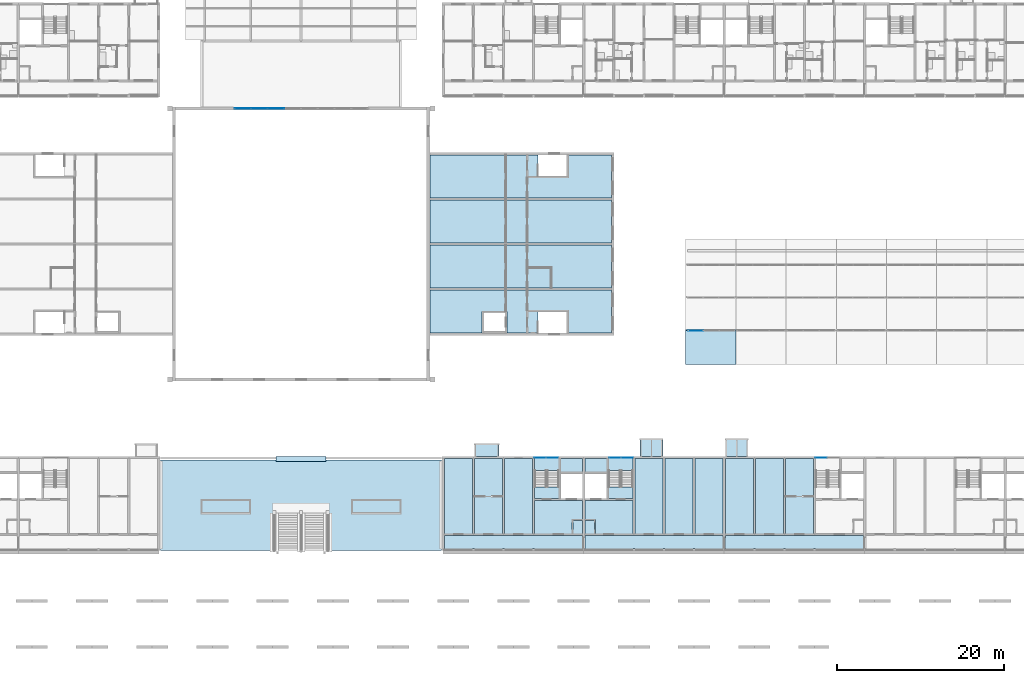
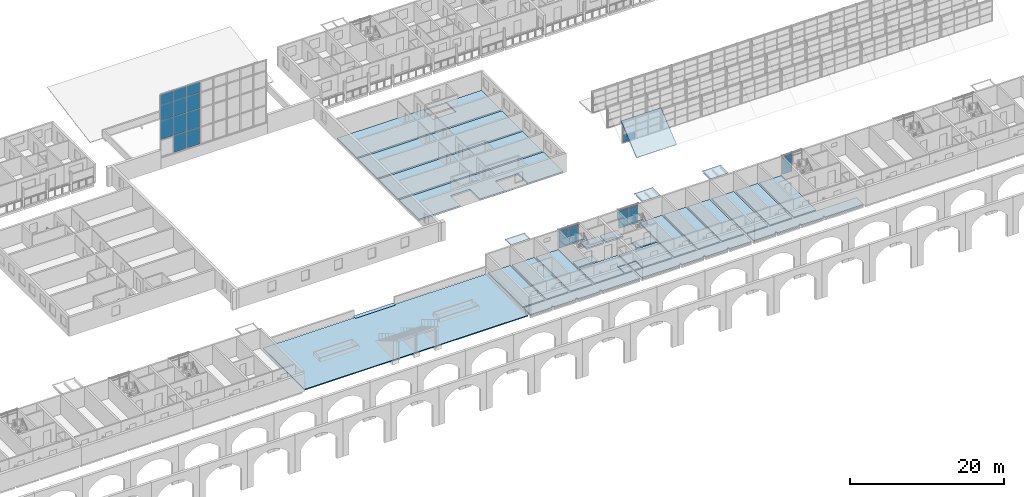
# One storey, part 45 of 122: 32 slabs, 22 plates, 7 elements without a shape of their own.
"""IFC4 building model written with IfcOpenShell, lengths in metres."""

from ifc_helpers import new_model, si_unit, direction, frame, origin, origin_2d, place, context, subcontext, project, spatial, polyline, rectangle, outline, extrude, material, layer, layer_set, type_object, element, aggregate, save


model = new_model("IFC4")

# Units and contexts
model_context = context("Model", 3, precision=1e-05, world=origin(), true_north=direction((0.0, 1.0)))
body_context = subcontext(model_context, "Body", "Model", "MODEL_VIEW")
ifc_project = project(units=[si_unit("LENGTHUNIT", "METRE"), si_unit("AREAUNIT", "SQUARE_METRE"), si_unit("VOLUMEUNIT", "CUBIC_METRE"), si_unit("PLANEANGLEUNIT", "RADIAN"), si_unit("MASSUNIT", "GRAM", prefix="KILO")], contexts=[model_context])

# Site, building, storey
site_placement = place(None, origin())
site = spatial("IfcSite", under=ifc_project, at=site_placement, CompositionType="ELEMENT")
building_placement = place(site_placement, origin())
building = spatial("IfcBuilding", under=site, at=building_placement, Name="Ridgestep Commons", CompositionType="ELEMENT")
storey_placement = place(building_placement, frame((0.0, 0.0, 3.0)))
storey = spatial("IfcBuildingStorey", under=building, at=storey_placement, Name="L01", CompositionType="ELEMENT", Elevation=3.0)

# Slabs
ifc_material_1 = material(Name="Precast concrete C50/60", Category="concrete")
ifc_layer_1 = layer(ifc_material_1, 0.25)
ifc_layer_set_1 = layer_set([ifc_layer_1], Name="Annex floor plank 250")
slab_type_1 = type_object("IfcSlabType", Name="Annex floor plank 250", PredefinedType="FLOOR", material=ifc_layer_set_1)
slab_1_placement = place(storey_placement, frame((0.0, 0.0, -0.25)))
element("IfcSlab", 1, at=slab_1_placement, inside=storey, type_object=slab_type_1, Name="Annex floor plank 250", PredefinedType="FLOOR", context=body_context, shape_type="SweptSolid", body=[
    extrude(outline(polyline([(166.89990234375, 42.875), (166.89990234375, 37.75), (154.39990234375, 37.75), (154.39990234375, 40.35009765625), (151.449951171875, 40.35009765625), (151.449951171875, 37.75), (145.199951171875, 37.75), (145.199951171875, 42.875), (166.89990234375, 42.875)]), holes=[polyline([(161.589111328125, 40.29931640625), (158.15087890625, 40.29931640625), (158.15087890625, 37.750732421875), (161.589111328125, 37.750732421875), (161.589111328125, 40.29931640625)])]), origin(), (0.0, 0.0, 1.0), 0.25),
])
slab_2_placement = place(storey_placement, frame((0.0, 0.0, -0.25)))
element("IfcSlab", 2, at=slab_2_placement, inside=storey, type_object=slab_type_1, Name="Annex floor plank 250", PredefinedType="FLOOR", context=body_context, shape_type="SweptSolid", body=[
    extrude(outline(polyline([(145.199951171875, 43.125), (166.89990234375, 43.125), (166.89990234375, 48.27490234375), (145.199951171875, 48.27490234375), (145.199951171875, 43.125)])), origin(), (0.0, 0.0, 1.0), 0.25),
])
slab_3_placement = place(storey_placement, frame((0.0, 0.0, -0.25)))
element("IfcSlab", 3, at=slab_3_placement, inside=storey, type_object=slab_type_1, Name="Annex floor plank 250", PredefinedType="FLOOR", context=body_context, shape_type="SweptSolid", body=[
    extrude(outline(polyline([(145.199951171875, 48.52490234375), (166.89990234375, 48.52490234375), (166.89990234375, 53.675048828125), (145.199951171875, 53.675048828125), (145.199951171875, 48.52490234375)])), origin(), (0.0, 0.0, 1.0), 0.25),
])
slab_4_placement = place(storey_placement, frame((0.0, 0.0, -0.25)))
element("IfcSlab", 4, at=slab_4_placement, inside=storey, type_object=slab_type_1, Name="Annex floor plank 250", PredefinedType="FLOOR", context=body_context, shape_type="SweptSolid", body=[
    extrude(outline(polyline([(145.199951171875, 59.050048828125), (166.89990234375, 59.050048828125), (166.89990234375, 53.925048828125), (145.199951171875, 53.925048828125), (145.199951171875, 59.050048828125)]), holes=[polyline([(161.589111328125, 56.500732421875), (161.589111328125, 59.04931640625), (158.15087890625, 59.04931640625), (158.15087890625, 56.500732421875), (161.589111328125, 56.500732421875)])]), origin(), (0.0, 0.0, 1.0), 0.25),
])

# Curtain wall, plate
ifc_material_2 = material(Name="Aluminium and glass", Category="aluminium")
ifc_layer_2 = layer(ifc_material_2, 0.14990234375)
ifc_layer_set_2 = layer_set([ifc_layer_2], Name="Shop clerestory curtain wall")
curtain_wall_type_1 = type_object("IfcCurtainWallType", Name="Shop clerestory curtain wall", PredefinedType="NOTDEFINED", material=ifc_layer_set_2)
curtain_wall_1_placement = place(storey_placement, origin())
curtain_wall_1 = element("IfcCurtainWall", 5, at=curtain_wall_1_placement, inside=storey, type_object=curtain_wall_type_1, Name="Shop clerestory curtain wall", PredefinedType="NOTDEFINED")
ifc_material_3 = material(Name="Glass", Category="glass")
ifc_layer_3 = layer(ifc_material_3, 0.011962890625)
ifc_layer_set_3 = layer_set([ifc_layer_3], Name="Community glass panel 12")
plate_type_1 = type_object("IfcPlateType", Name="Community glass panel 12", PredefinedType="CURTAIN_PANEL", material=ifc_layer_set_3)
plate_1_placement = place(storey_placement, frame((177.0, 38.050048828125, 1.25), z_axis=(0.0, 0.0, 1.0), x_axis=(1.0, 0.0, 0.0)))
plate_1 = element("IfcPlate", 6, at=plate_1_placement, type_object=plate_type_1, Name="CW5 panel 1.1", PredefinedType="CURTAIN_PANEL", context=body_context, shape_type="SweptSolid", body=[
    extrude(rectangle(XDim=1.800048828125, YDim=0.011962890625, at=origin_2d()), origin(), (0.0, 0.0, 1.0), 1.125),
])
aggregate(curtain_wall_1, [plate_1])

# Curtain wall, plates
ifc_material_4 = material(Name="Aluminium and glass", Category="aluminium")
ifc_layer_4 = layer(ifc_material_4, 0.199951171875)
ifc_layer_set_4 = layer_set([ifc_layer_4], Name="Hall gable curtain wall")
curtain_wall_type_2 = type_object("IfcCurtainWallType", Name="Hall gable curtain wall", PredefinedType="NOTDEFINED", material=ifc_layer_set_4)
curtain_wall_2_placement = place(storey_placement, origin())
curtain_wall_2 = element("IfcCurtainWall", 7, at=curtain_wall_2_placement, inside=storey, type_object=curtain_wall_type_2, Name="Hall gable curtain wall", PredefinedType="NOTDEFINED")
ifc_material_5 = material(Name="Glass", Category="glass")
ifc_layer_5 = layer(ifc_material_5, 0.028076171875)
ifc_layer_set_5 = layer_set([ifc_layer_5], Name="Community glass panel 28")
plate_type_2 = type_object("IfcPlateType", Name="Community glass panel 28", PredefinedType="CURTAIN_PANEL", material=ifc_layer_set_5)
plate_2_placement = place(storey_placement, frame((122.81494140625, 64.60009765625, 4.530029296875), z_axis=(0.0, 0.0, 1.0), x_axis=(1.0, 0.0, 0.0)))
plate_2 = element("IfcPlate", 8, at=plate_2_placement, type_object=plate_type_2, Name="CW4 panel 1.2", PredefinedType="CURTAIN_PANEL", context=body_context, shape_type="SweptSolid", body=[
    extrude(rectangle(XDim=1.909912109375, YDim=0.028076171875, at=origin_2d()), origin(), (0.0, 0.0, 1.0), 2.93994140625),
])
plate_3_placement = place(storey_placement, frame((122.81494140625, 64.60009765625, 7.530029296875), z_axis=(0.0, 0.0, 1.0), x_axis=(1.0, 0.0, 0.0)))
plate_3 = element("IfcPlate", 9, at=plate_3_placement, type_object=plate_type_2, Name="CW4 panel 1.3", PredefinedType="CURTAIN_PANEL", context=body_context, shape_type="SweptSolid", body=[
    extrude(rectangle(XDim=1.909912109375, YDim=0.028076171875, at=origin_2d()), origin(), (0.0, 0.0, 1.0), 2.43994140625),
])
plate_4_placement = place(storey_placement, frame((122.81494140625, 64.60009765625, 10.0302734375), z_axis=(0.0, 0.0, 1.0), x_axis=(1.0, 0.0, 0.0)))
plate_4 = element("IfcPlate", 10, at=plate_4_placement, type_object=plate_type_2, Name="CW4 panel 1.4", PredefinedType="CURTAIN_PANEL", context=body_context, shape_type="SweptSolid", body=[
    extrude(rectangle(XDim=1.909912109375, YDim=0.028076171875, at=origin_2d()), origin(), (0.0, 0.0, 1.0), 1.659912109375),
])
plate_5_placement = place(storey_placement, frame((124.800048828125, 64.60009765625, 1.81005859375), z_axis=(0.0, 0.0, 1.0), x_axis=(1.0, 0.0, 0.0)))
plate_5 = element("IfcPlate", 11, at=plate_5_placement, type_object=plate_type_2, Name="CW4 panel 2.1", PredefinedType="CURTAIN_PANEL", context=body_context, shape_type="SweptSolid", body=[
    extrude(rectangle(XDim=1.93994140625, YDim=0.028076171875, at=origin_2d()), origin(), (0.0, 0.0, 1.0), 2.659912109375),
])
plate_6_placement = place(storey_placement, frame((124.800048828125, 64.60009765625, 4.530029296875), z_axis=(0.0, 0.0, 1.0), x_axis=(1.0, 0.0, 0.0)))
plate_6 = element("IfcPlate", 12, at=plate_6_placement, type_object=plate_type_2, Name="CW4 panel 2.2", PredefinedType="CURTAIN_PANEL", context=body_context, shape_type="SweptSolid", body=[
    extrude(rectangle(XDim=1.93994140625, YDim=0.028076171875, at=origin_2d()), origin(), (0.0, 0.0, 1.0), 2.93994140625),
])
plate_7_placement = place(storey_placement, frame((124.800048828125, 64.60009765625, 7.530029296875), z_axis=(0.0, 0.0, 1.0), x_axis=(1.0, 0.0, 0.0)))
plate_7 = element("IfcPlate", 13, at=plate_7_placement, type_object=plate_type_2, Name="CW4 panel 2.3", PredefinedType="CURTAIN_PANEL", context=body_context, shape_type="SweptSolid", body=[
    extrude(rectangle(XDim=1.93994140625, YDim=0.028076171875, at=origin_2d()), origin(), (0.0, 0.0, 1.0), 2.43994140625),
])
plate_8_placement = place(storey_placement, frame((124.800048828125, 64.60009765625, 10.0302734375), z_axis=(0.0, 0.0, 1.0), x_axis=(1.0, 0.0, 0.0)))
plate_8 = element("IfcPlate", 14, at=plate_8_placement, type_object=plate_type_2, Name="CW4 panel 2.4", PredefinedType="CURTAIN_PANEL", context=body_context, shape_type="SweptSolid", body=[
    extrude(rectangle(XDim=1.93994140625, YDim=0.028076171875, at=origin_2d()), origin(), (0.0, 0.0, 1.0), 1.659912109375),
])
plate_9_placement = place(storey_placement, frame((126.800048828125, 64.60009765625, 1.81005859375), z_axis=(0.0, 0.0, 1.0), x_axis=(1.0, 0.0, 0.0)))
plate_9 = element("IfcPlate", 15, at=plate_9_placement, type_object=plate_type_2, Name="CW4 panel 3.1", PredefinedType="CURTAIN_PANEL", context=body_context, shape_type="SweptSolid", body=[
    extrude(rectangle(XDim=1.93994140625, YDim=0.028076171875, at=origin_2d()), origin(), (0.0, 0.0, 1.0), 2.659912109375),
])
plate_10_placement = place(storey_placement, frame((126.800048828125, 64.60009765625, 4.530029296875), z_axis=(0.0, 0.0, 1.0), x_axis=(1.0, 0.0, 0.0)))
plate_10 = element("IfcPlate", 16, at=plate_10_placement, type_object=plate_type_2, Name="CW4 panel 3.2", PredefinedType="CURTAIN_PANEL", context=body_context, shape_type="SweptSolid", body=[
    extrude(rectangle(XDim=1.93994140625, YDim=0.028076171875, at=origin_2d()), origin(), (0.0, 0.0, 1.0), 2.93994140625),
])
plate_11_placement = place(storey_placement, frame((126.800048828125, 64.60009765625, 7.530029296875), z_axis=(0.0, 0.0, 1.0), x_axis=(1.0, 0.0, 0.0)))
plate_11 = element("IfcPlate", 17, at=plate_11_placement, type_object=plate_type_2, Name="CW4 panel 3.3", PredefinedType="CURTAIN_PANEL", context=body_context, shape_type="SweptSolid", body=[
    extrude(rectangle(XDim=1.93994140625, YDim=0.028076171875, at=origin_2d()), origin(), (0.0, 0.0, 1.0), 2.43994140625),
])
plate_12_placement = place(storey_placement, frame((126.800048828125, 64.60009765625, 10.0302734375), z_axis=(0.0, 0.0, 1.0), x_axis=(1.0, 0.0, 0.0)))
plate_12 = element("IfcPlate", 18, at=plate_12_placement, type_object=plate_type_2, Name="CW4 panel 3.4", PredefinedType="CURTAIN_PANEL", context=body_context, shape_type="SweptSolid", body=[
    extrude(rectangle(XDim=1.93994140625, YDim=0.028076171875, at=origin_2d()), origin(), (0.0, 0.0, 1.0), 1.659912109375),
])
aggregate(curtain_wall_2, [plate_2, plate_3, plate_4, plate_5, plate_6, plate_7, plate_8, plate_9, plate_10, plate_11, plate_12])

# Slabs
ifc_material_6 = material(Name="Concrete C30/37", Category="concrete")
ifc_layer_6 = layer(ifc_material_6, 0.199951171875)
ifc_layer_set_6 = layer_set([ifc_layer_6], Name="Community stair landing slab 200")
slab_type_2 = type_object("IfcSlabType", Name="Community stair landing slab 200", PredefinedType="LANDING", material=ifc_layer_set_6)
slab_5_placement = place(storey_placement, frame((0.0, 0.0, -0.199951171875)))
element("IfcSlab", 19, at=slab_5_placement, inside=storey, type_object=slab_type_2, Name="Arrival landing", PredefinedType="LANDING", context=body_context, shape_type="SweptSolid", body=[
    extrude(outline(polyline([(126.800048828125, 22.39990234375), (132.800048828125, 22.39990234375), (132.800048828125, 23.0), (126.800048828125, 23.0), (126.800048828125, 22.39990234375)])), origin(), (0.0, 0.0, 1.0), 0.199951171875),
])
ifc_material_7 = material(Name="Concrete C30/37", Category="concrete")
ifc_layer_7 = layer(ifc_material_7, 0.14990234375)
ifc_layer_set_7 = layer_set([ifc_layer_7], Name="Community terrace slab 150")
slab_type_3 = type_object("IfcSlabType", Name="Community terrace slab 150", PredefinedType="BASESLAB", material=ifc_layer_set_7)
slab_6_placement = place(storey_placement, frame((0.0, 0.0, -0.14990234375)))
element("IfcSlab", 20, at=slab_6_placement, inside=storey, type_object=slab_type_3, Name="Garden terrace paving gap", PredefinedType="BASESLAB", context=body_context, shape_type="SweptSolid", body=[
    extrude(outline(polyline([(146.60009765625, 22.60009765625), (146.60009765625, 11.75), (113.0, 11.75), (113.0, 22.60009765625), (126.800048828125, 22.60009765625), (126.800048828125, 22.39990234375), (132.800048828125, 22.39990234375), (132.800048828125, 22.60009765625), (146.60009765625, 22.60009765625)])), origin(), (0.0, 0.0, 1.0), 0.14990234375),
])
ifc_material_8 = material(Name="Precast concrete C40/50", Category="concrete")
ifc_layer_8 = layer(ifc_material_8, 0.199951171875)
ifc_layer_set_8 = layer_set([ifc_layer_8], Name="Gallery slab 200")
slab_type_4 = type_object("IfcSlabType", Name="Gallery slab 200", PredefinedType="FLOOR", material=ifc_layer_set_8)
slab_7_placement = place(storey_placement, frame((0.0, 0.0, -0.199951171875)))
element("IfcSlab", 21, at=slab_7_placement, inside=storey, type_object=slab_type_4, Name="Gallery slab D1 L01", PredefinedType="FLOOR", context=body_context, shape_type="SweptSolid", body=[
    extrude(outline(polyline([(163.449951171875, 13.550048828125), (146.949951171875, 13.550048828125), (146.949951171875, 11.75), (150.27490234375, 11.75), (150.27490234375, 12.0), (150.52490234375, 12.0), (150.52490234375, 11.75), (153.875, 11.75), (153.875, 12.0), (154.125, 12.0), (154.125, 11.75), (157.47509765625, 11.75), (157.47509765625, 12.0), (157.72509765625, 12.0), (157.72509765625, 11.75), (163.449951171875, 11.75), (163.449951171875, 13.550048828125)])), origin(), (0.0, 0.0, 1.0), 0.199951171875),
])
slab_8_placement = place(storey_placement, frame((0.0, 0.0, -0.199951171875)))
element("IfcSlab", 22, at=slab_8_placement, inside=storey, type_object=slab_type_4, Name="Gallery slab D2 L01", PredefinedType="FLOOR", context=body_context, shape_type="SweptSolid", body=[
    extrude(outline(polyline([(180.25, 13.550048828125), (163.75, 13.550048828125), (163.75, 11.75), (169.47509765625, 11.75), (169.47509765625, 12.0), (169.72509765625, 12.0), (169.72509765625, 11.75), (173.074951171875, 11.75), (173.074951171875, 12.0), (173.324951171875, 12.0), (173.324951171875, 11.75), (176.675048828125, 11.75), (176.675048828125, 12.0), (176.925048828125, 12.0), (176.925048828125, 11.75), (180.25, 11.75), (180.25, 13.550048828125)])), origin(), (0.0, 0.0, 1.0), 0.199951171875),
])
slab_9_placement = place(storey_placement, frame((0.0, 0.0, -0.199951171875)))
element("IfcSlab", 23, at=slab_9_placement, inside=storey, type_object=slab_type_4, Name="Gallery slab D3 L01", PredefinedType="FLOOR", context=body_context, shape_type="SweptSolid", body=[
    extrude(outline(polyline([(197.050048828125, 13.550048828125), (180.550048828125, 13.550048828125), (180.550048828125, 11.75), (183.875, 11.75), (183.875, 12.0), (184.125, 12.0), (184.125, 11.75), (187.47509765625, 11.75), (187.47509765625, 12.0), (187.72509765625, 12.0), (187.72509765625, 11.75), (191.074951171875, 11.75), (191.074951171875, 12.0), (191.324951171875, 12.0), (191.324951171875, 11.75), (197.050048828125, 11.75), (197.050048828125, 13.550048828125)])), origin(), (0.0, 0.0, 1.0), 0.199951171875),
])

# Curtain wall, plates
ifc_material_9 = material(Name="Aluminium 6063-T6 and glass", Category="aluminium")
curtain_wall_type_3 = type_object("IfcCurtainWallType", Name="Curtain wall stair strip", PredefinedType="NOTDEFINED", material=ifc_material_9)
curtain_wall_3_placement = place(storey_placement, origin())
curtain_wall_3 = element("IfcCurtainWall", 24, at=curtain_wall_3_placement, inside=storey, type_object=curtain_wall_type_3, Name="Curtain wall D1C level 01", PredefinedType="NOTDEFINED")
ifc_material_10 = material(Name="Glass laminated 6/16/6 low-emissivity", Category="glass")
ifc_layer_9 = layer(ifc_material_10, 0.028076171875)
ifc_layer_set_9 = layer_set([ifc_layer_9], Name="Glazing panel 28")
plate_type_3 = type_object("IfcPlateType", Name="Glazing panel 28", PredefinedType="CURTAIN_PANEL", material=ifc_layer_set_9)
plate_13_placement = place(storey_placement, frame((158.371337890625, 22.830078125, 0.06005859375), z_axis=(0.0, 0.0, 1.0), x_axis=(1.0, 0.0, 0.0)))
plate_13 = element("IfcPlate", 25, at=plate_13_placement, type_object=plate_type_3, Name="CW1 panel 1.1", PredefinedType="CURTAIN_PANEL", context=body_context, shape_type="SweptSolid", body=[
    extrude(rectangle(XDim=1.422607421875, YDim=0.028076171875, at=origin_2d()), origin(), (0.0, 0.0, 1.0), 2.5),
])
plate_14_placement = place(storey_placement, frame((159.853759765625, 22.830078125, 0.06005859375), z_axis=(0.0, 0.0, 1.0), x_axis=(1.0, 0.0, 0.0)))
plate_14 = element("IfcPlate", 26, at=plate_14_placement, type_object=plate_type_3, Name="CW1 panel 2.1", PredefinedType="CURTAIN_PANEL", context=body_context, shape_type="SweptSolid", body=[
    extrude(rectangle(XDim=1.422607421875, YDim=0.028076171875, at=origin_2d()), origin(), (0.0, 0.0, 1.0), 2.5),
])

curtain_wall_4_placement = place(storey_placement, origin())
curtain_wall_4 = element("IfcCurtainWall", 27, at=curtain_wall_4_placement, inside=storey, type_object=curtain_wall_type_3, Name="Curtain wall D2C level 01", PredefinedType="NOTDEFINED")
plate_15_placement = place(storey_placement, frame((167.34619140625, 22.830078125, 0.06005859375), z_axis=(0.0, 0.0, 1.0), x_axis=(1.0, 0.0, 0.0)))
plate_15 = element("IfcPlate", 28, at=plate_15_placement, type_object=plate_type_3, Name="CW1 panel 1.1", PredefinedType="CURTAIN_PANEL", context=body_context, shape_type="SweptSolid", body=[
    extrude(rectangle(XDim=1.422607421875, YDim=0.028076171875, at=origin_2d()), origin(), (0.0, 0.0, 1.0), 2.5),
])
plate_16_placement = place(storey_placement, frame((168.828857421875, 22.830078125, 0.06005859375), z_axis=(0.0, 0.0, 1.0), x_axis=(1.0, 0.0, 0.0)))
plate_16 = element("IfcPlate", 29, at=plate_16_placement, type_object=plate_type_3, Name="CW1 panel 2.1", PredefinedType="CURTAIN_PANEL", context=body_context, shape_type="SweptSolid", body=[
    extrude(rectangle(XDim=1.422607421875, YDim=0.028076171875, at=origin_2d()), origin(), (0.0, 0.0, 1.0), 2.5),
])

# Curtain wall, plate
curtain_wall_5_placement = place(storey_placement, origin())
curtain_wall_5 = element("IfcCurtainWall", 30, at=curtain_wall_5_placement, inside=storey, type_object=curtain_wall_type_3, Name="Curtain wall D3C level 01", PredefinedType="NOTDEFINED")
plate_17_placement = place(storey_placement, frame((191.97119140625, 22.830078125, 0.06005859375), z_axis=(0.0, 0.0, 1.0), x_axis=(1.0, 0.0, 0.0)))
plate_17 = element("IfcPlate", 31, at=plate_17_placement, type_object=plate_type_3, Name="CW1 panel 1.1", PredefinedType="CURTAIN_PANEL", context=body_context, shape_type="SweptSolid", body=[
    extrude(rectangle(XDim=1.422607421875, YDim=0.028076171875, at=origin_2d()), origin(), (0.0, 0.0, 1.0), 2.5),
])

# Slabs
ifc_material_11 = material(Name="Precast concrete C50/60", Category="concrete")
ifc_layer_10 = layer(ifc_material_11, 0.199951171875)
ifc_layer_set_10 = layer_set([ifc_layer_10], Name="Hollow-core plank 200")
slab_type_5 = type_object("IfcSlabType", Name="Hollow-core plank 200", PredefinedType="FLOOR", material=ifc_layer_set_10)
slab_10_placement = place(storey_placement, frame((0.0, 0.0, -0.199951171875)))
element("IfcSlab", 32, at=slab_10_placement, inside=storey, type_object=slab_type_5, Name="Floor plank D1T1 L01", PredefinedType="FLOOR", context=body_context, shape_type="SweptSolid", body=[
    extrude(outline(polyline([(150.27490234375, 13.75), (150.27490234375, 22.75), (146.949951171875, 22.75), (146.949951171875, 13.75), (150.27490234375, 13.75)])), origin(), (0.0, 0.0, 1.0), 0.199951171875),
])
slab_11_placement = place(storey_placement, frame((0.0, 0.0, -0.199951171875)))
element("IfcSlab", 33, at=slab_11_placement, inside=storey, type_object=slab_type_5, Name="Floor plank D1T2 L01", PredefinedType="FLOOR", context=body_context, shape_type="SweptSolid", body=[
    extrude(outline(polyline([(153.875, 13.75), (153.875, 22.75), (150.52490234375, 22.75), (150.52490234375, 13.75), (153.875, 13.75)])), origin(), (0.0, 0.0, 1.0), 0.199951171875),
])
slab_12_placement = place(storey_placement, frame((0.0, 0.0, -0.199951171875)))
element("IfcSlab", 34, at=slab_12_placement, inside=storey, type_object=slab_type_5, Name="Floor plank D1T3 L01", PredefinedType="FLOOR", context=body_context, shape_type="SweptSolid", body=[
    extrude(outline(polyline([(157.47509765625, 13.75), (157.47509765625, 22.75), (154.125, 22.75), (154.125, 13.75), (157.47509765625, 13.75)])), origin(), (0.0, 0.0, 1.0), 0.199951171875),
])
slab_13_placement = place(storey_placement, frame((0.0, 0.0, -0.199951171875)))
element("IfcSlab", 35, at=slab_13_placement, inside=storey, type_object=slab_type_5, Name="Floor plank D2T3 L01", PredefinedType="FLOOR", context=body_context, shape_type="SweptSolid", body=[
    extrude(outline(polyline([(173.074951171875, 13.75), (173.074951171875, 22.75), (169.72509765625, 22.75), (169.72509765625, 13.75), (173.074951171875, 13.75)])), origin(), (0.0, 0.0, 1.0), 0.199951171875),
])
slab_14_placement = place(storey_placement, frame((0.0, 0.0, -0.199951171875)))
element("IfcSlab", 36, at=slab_14_placement, inside=storey, type_object=slab_type_5, Name="Floor plank D2T2 L01", PredefinedType="FLOOR", context=body_context, shape_type="SweptSolid", body=[
    extrude(outline(polyline([(176.675048828125, 13.75), (176.675048828125, 22.75), (173.324951171875, 22.75), (173.324951171875, 13.75), (176.675048828125, 13.75)])), origin(), (0.0, 0.0, 1.0), 0.199951171875),
])
slab_15_placement = place(storey_placement, frame((0.0, 0.0, -0.199951171875)))
element("IfcSlab", 37, at=slab_15_placement, inside=storey, type_object=slab_type_5, Name="Floor plank D2T1 L01", PredefinedType="FLOOR", context=body_context, shape_type="SweptSolid", body=[
    extrude(outline(polyline([(180.25, 13.75), (180.25, 22.75), (176.925048828125, 22.75), (176.925048828125, 13.75), (180.25, 13.75)])), origin(), (0.0, 0.0, 1.0), 0.199951171875),
])
slab_16_placement = place(storey_placement, frame((0.0, 0.0, -0.199951171875)))
element("IfcSlab", 38, at=slab_16_placement, inside=storey, type_object=slab_type_5, Name="Floor plank D3T1 L01", PredefinedType="FLOOR", context=body_context, shape_type="SweptSolid", body=[
    extrude(outline(polyline([(183.875, 13.75), (183.875, 22.75), (180.550048828125, 22.75), (180.550048828125, 13.75), (183.875, 13.75)])), origin(), (0.0, 0.0, 1.0), 0.199951171875),
])
slab_17_placement = place(storey_placement, frame((0.0, 0.0, -0.199951171875)))
element("IfcSlab", 39, at=slab_17_placement, inside=storey, type_object=slab_type_5, Name="Floor plank D3T2 L01", PredefinedType="FLOOR", context=body_context, shape_type="SweptSolid", body=[
    extrude(outline(polyline([(187.47509765625, 13.75), (187.47509765625, 22.75), (184.125, 22.75), (184.125, 13.75), (187.47509765625, 13.75)])), origin(), (0.0, 0.0, 1.0), 0.199951171875),
])
slab_18_placement = place(storey_placement, frame((0.0, 0.0, -0.199951171875)))
element("IfcSlab", 40, at=slab_18_placement, inside=storey, type_object=slab_type_5, Name="Floor plank D3T3 L01", PredefinedType="FLOOR", context=body_context, shape_type="SweptSolid", body=[
    extrude(outline(polyline([(191.074951171875, 13.75), (191.074951171875, 22.75), (187.72509765625, 22.75), (187.72509765625, 13.75), (191.074951171875, 13.75)])), origin(), (0.0, 0.0, 1.0), 0.199951171875),
])
ifc_material_12 = material(Name="Precast concrete C50/60", Category="concrete")
ifc_layer_11 = layer(ifc_material_12, 0.25)
ifc_layer_set_11 = layer_set([ifc_layer_11], Name="Hollow-core plank 250")
slab_type_6 = type_object("IfcSlabType", Name="Hollow-core plank 250", PredefinedType="FLOOR", material=ifc_layer_set_11)
slab_19_placement = place(storey_placement, frame((0.0, 0.0, -0.25)))
element("IfcSlab", 41, at=slab_19_placement, inside=storey, type_object=slab_type_6, Name="Floor plank D1C L01", PredefinedType="FLOOR", context=body_context, shape_type="SweptSolid", body=[
    extrude(outline(polyline([(162.320068359375, 15.469970703125), (163.449951171875, 15.469970703125), (163.449951171875, 17.75), (157.72509765625, 17.75), (157.72509765625, 13.75), (162.199951171875, 13.75), (162.199951171875, 15.469970703125), (162.320068359375, 15.469970703125)])), origin(), (0.0, 0.0, 1.0), 0.25),
])
slab_20_placement = place(storey_placement, frame((0.0, 0.0, -0.25)))
element("IfcSlab", 42, at=slab_20_placement, inside=storey, type_object=slab_type_6, Name="Floor plank D1C L01", PredefinedType="FLOOR", context=body_context, shape_type="SweptSolid", body=[
    extrude(outline(polyline([(163.449951171875, 21.14990234375), (163.449951171875, 22.75), (160.824951171875, 22.75), (160.824951171875, 21.14990234375), (163.449951171875, 21.14990234375)])), origin(), (0.0, 0.0, 1.0), 0.25),
])
slab_21_placement = place(storey_placement, frame((0.0, 0.0, -0.25)))
element("IfcSlab", 43, at=slab_21_placement, inside=storey, type_object=slab_type_6, Name="Floor plank D1C L01", PredefinedType="FLOOR", context=body_context, shape_type="SweptSolid", body=[
    extrude(outline(polyline([(160.625, 17.949951171875), (160.625, 19.35009765625), (157.72509765625, 19.35009765625), (157.72509765625, 17.949951171875), (160.625, 17.949951171875)])), origin(), (0.0, 0.0, 1.0), 0.25),
])
slab_22_placement = place(storey_placement, frame((0.0, 0.0, -0.25)))
element("IfcSlab", 44, at=slab_22_placement, inside=storey, type_object=slab_type_6, Name="Floor plank D1C L01", PredefinedType="FLOOR", context=body_context, shape_type="SweptSolid", body=[
    extrude(outline(polyline([(162.320068359375, 13.75), (163.449951171875, 13.75), (163.449951171875, 15.35009765625), (162.320068359375, 15.35009765625), (162.320068359375, 13.75)])), origin(), (0.0, 0.0, 1.0), 0.25),
])
slab_23_placement = place(storey_placement, frame((0.0, 0.0, -0.25)))
element("IfcSlab", 45, at=slab_23_placement, inside=storey, type_object=slab_type_6, Name="Floor plank D2C L01", PredefinedType="FLOOR", context=body_context, shape_type="SweptSolid", body=[
    extrude(outline(polyline([(165.0, 13.75), (169.47509765625, 13.75), (169.47509765625, 17.75), (163.75, 17.75), (163.75, 15.469970703125), (164.8798828125, 15.469970703125), (165.0, 15.469970703125), (165.0, 13.75)])), origin(), (0.0, 0.0, 1.0), 0.25),
])
slab_24_placement = place(storey_placement, frame((0.0, 0.0, -0.25)))
element("IfcSlab", 46, at=slab_24_placement, inside=storey, type_object=slab_type_6, Name="Floor plank D2C L01", PredefinedType="FLOOR", context=body_context, shape_type="SweptSolid", body=[
    extrude(outline(polyline([(166.375, 22.75), (163.75, 22.75), (163.75, 21.14990234375), (166.375, 21.14990234375), (166.375, 22.75)])), origin(), (0.0, 0.0, 1.0), 0.25),
])
slab_25_placement = place(storey_placement, frame((0.0, 0.0, -0.25)))
element("IfcSlab", 47, at=slab_25_placement, inside=storey, type_object=slab_type_6, Name="Floor plank D2C L01", PredefinedType="FLOOR", context=body_context, shape_type="SweptSolid", body=[
    extrude(outline(polyline([(169.47509765625, 17.949951171875), (169.47509765625, 19.35009765625), (166.574951171875, 19.35009765625), (166.574951171875, 17.949951171875), (169.47509765625, 17.949951171875)])), origin(), (0.0, 0.0, 1.0), 0.25),
])
slab_26_placement = place(storey_placement, frame((0.0, 0.0, -0.25)))
element("IfcSlab", 48, at=slab_26_placement, inside=storey, type_object=slab_type_6, Name="Floor plank D2C L01", PredefinedType="FLOOR", context=body_context, shape_type="SweptSolid", body=[
    extrude(outline(polyline([(164.8798828125, 15.35009765625), (163.75, 15.35009765625), (163.75, 13.75), (164.8798828125, 13.75), (164.8798828125, 15.35009765625)])), origin(), (0.0, 0.0, 1.0), 0.25),
])
ifc_material_13 = material(Name="Precast concrete C50/60", Category="concrete")
ifc_layer_12 = layer(ifc_material_13, 0.199951171875)
ifc_layer_set_12 = layer_set([ifc_layer_12], Name="Shop sawtooth plank 200")
slab_type_7 = type_object("IfcSlabType", Name="Shop sawtooth plank 200", PredefinedType="ROOF", material=ifc_layer_set_12)
slab_27_placement = place(storey_placement, frame((175.800048828125, 34.0, 1.356201171875), z_axis=(0.0, -0.643523147953, 0.765426650992), x_axis=(1.0, 0.0, 0.0)))
element("IfcSlab", 49, at=slab_27_placement, inside=storey, type_object=slab_type_7, Name="Shop sawtooth roof plank", PredefinedType="ROOF", context=body_context, shape_type="SweptSolid", body=[
    extrude(outline(polyline([(0.0, 0.0), (6.0, 0.0), (6.0, 5.29123048286254), (0.0, 5.29123048286254), (0.0, 0.0)])), origin(), (0.0, 0.0, -1.0), 0.199951171875),
])

# Plate
ifc_material_14 = material(Name="Aluminium 6063-T6 and mineral wool", Category="aluminium")
ifc_layer_13 = layer(ifc_material_14, 0.0400390625)
ifc_layer_set_13 = layer_set([ifc_layer_13], Name="Spandrel panel 40")
plate_type_4 = type_object("IfcPlateType", Name="Spandrel panel 40", PredefinedType="CURTAIN_PANEL", material=ifc_layer_set_13)
plate_18_placement = place(storey_placement, frame((158.371337890625, 22.830078125, 2.6201171875), z_axis=(0.0, 0.0, 1.0), x_axis=(1.0, 0.0, 0.0)))
plate_18 = element("IfcPlate", 50, at=plate_18_placement, type_object=plate_type_4, Name="CW1 panel 1.2", PredefinedType="CURTAIN_PANEL", context=body_context, shape_type="SweptSolid", body=[
    extrude(rectangle(XDim=1.422607421875, YDim=0.0400390625, at=origin_2d()), origin(), (0.0, 0.0, 1.0), 0.320068359375),
])

plate_19_placement = place(storey_placement, frame((159.853759765625, 22.830078125, 2.6201171875), z_axis=(0.0, 0.0, 1.0), x_axis=(1.0, 0.0, 0.0)))
plate_19 = element("IfcPlate", 51, at=plate_19_placement, type_object=plate_type_4, Name="CW1 panel 2.2", PredefinedType="CURTAIN_PANEL", context=body_context, shape_type="SweptSolid", body=[
    extrude(rectangle(XDim=1.422607421875, YDim=0.0400390625, at=origin_2d()), origin(), (0.0, 0.0, 1.0), 0.320068359375),
])

aggregate(curtain_wall_3, [plate_13, plate_18, plate_14, plate_19])

plate_20_placement = place(storey_placement, frame((167.34619140625, 22.830078125, 2.6201171875), z_axis=(0.0, 0.0, 1.0), x_axis=(1.0, 0.0, 0.0)))
plate_20 = element("IfcPlate", 52, at=plate_20_placement, type_object=plate_type_4, Name="CW1 panel 1.2", PredefinedType="CURTAIN_PANEL", context=body_context, shape_type="SweptSolid", body=[
    extrude(rectangle(XDim=1.422607421875, YDim=0.0400390625, at=origin_2d()), origin(), (0.0, 0.0, 1.0), 0.320068359375),
])

plate_21_placement = place(storey_placement, frame((168.828857421875, 22.830078125, 2.6201171875), z_axis=(0.0, 0.0, 1.0), x_axis=(1.0, 0.0, 0.0)))
plate_21 = element("IfcPlate", 53, at=plate_21_placement, type_object=plate_type_4, Name="CW1 panel 2.2", PredefinedType="CURTAIN_PANEL", context=body_context, shape_type="SweptSolid", body=[
    extrude(rectangle(XDim=1.422607421875, YDim=0.0400390625, at=origin_2d()), origin(), (0.0, 0.0, 1.0), 0.320068359375),
])

aggregate(curtain_wall_4, [plate_15, plate_20, plate_16, plate_21])

plate_22_placement = place(storey_placement, frame((191.97119140625, 22.830078125, 2.6201171875), z_axis=(0.0, 0.0, 1.0), x_axis=(1.0, 0.0, 0.0)))
plate_22 = element("IfcPlate", 54, at=plate_22_placement, type_object=plate_type_4, Name="CW1 panel 1.2", PredefinedType="CURTAIN_PANEL", context=body_context, shape_type="SweptSolid", body=[
    extrude(rectangle(XDim=1.422607421875, YDim=0.0400390625, at=origin_2d()), origin(), (0.0, 0.0, 1.0), 0.320068359375),
])

aggregate(curtain_wall_5, [plate_17, plate_22])

# Stair, slab
ifc_material_15 = material(Name="Precast concrete C40/50", Category="concrete")
stair_type = type_object("IfcStairType", Name="Escape stair 1400", PredefinedType="HALF_TURN_STAIR", material=ifc_material_15)
stair_1_placement = place(storey_placement, origin())
stair_1 = element("IfcStair", 55, at=stair_1_placement, inside=storey, type_object=stair_type, Name="L01 Escape stair D1C", PredefinedType="HALF_TURN_STAIR")
ifc_material_16 = material(Name="Precast concrete C40/50", Category="concrete")
ifc_layer_14 = layer(ifc_material_16, 0.199951171875)
ifc_layer_set_14 = layer_set([ifc_layer_14], Name="Stair landing 200")
slab_type_8 = type_object("IfcSlabType", Name="Stair landing 200", PredefinedType="LANDING", material=ifc_layer_set_14)
slab_28_placement = place(storey_placement, frame((0.0, 0.0, 1.300048828125)))
slab_28 = element("IfcSlab", 56, at=slab_28_placement, type_object=slab_type_8, Name="D1C landing 1", PredefinedType="LANDING", context=body_context, shape_type="SweptSolid", body=[
    extrude(outline(polyline([(160.625, 21.31005859375), (160.625, 22.75), (157.72509765625, 22.75), (157.72509765625, 21.31005859375), (160.625, 21.31005859375)])), origin(), (0.0, 0.0, 1.0), 0.199951171875),
])
aggregate(stair_1, [slab_28])

stair_2_placement = place(storey_placement, origin())
stair_2 = element("IfcStair", 57, at=stair_2_placement, inside=storey, type_object=stair_type, Name="L01 Escape stair D2C", PredefinedType="HALF_TURN_STAIR")
slab_29_placement = place(storey_placement, frame((0.0, 0.0, 1.300048828125)))
slab_29 = element("IfcSlab", 58, at=slab_29_placement, type_object=slab_type_8, Name="D2C landing 1", PredefinedType="LANDING", context=body_context, shape_type="SweptSolid", body=[
    extrude(outline(polyline([(169.47509765625, 21.31005859375), (169.47509765625, 22.75), (166.574951171875, 22.75), (166.574951171875, 21.31005859375), (169.47509765625, 21.31005859375)])), origin(), (0.0, 0.0, 1.0), 0.199951171875),
])
aggregate(stair_2, [slab_29])

# Slabs
ifc_material_17 = material(Name="Weathering steel S355J2W", Category="steel")
ifc_layer_15 = layer(ifc_material_17, 0.010009765625)
ifc_layer_set_15 = layer_set([ifc_layer_15], Name="Tray 2.8 x 2.1")
slab_type_9 = type_object("IfcSlabType", Name="Tray 2.8 x 2.1", PredefinedType="FLOOR", material=ifc_layer_set_15)
slab_30_placement = place(storey_placement, frame((0.0, 0.0, 2.989990234375)))
element("IfcSlab", 59, at=slab_30_placement, inside=storey, type_object=slab_type_9, Name="Tray deck D3T1-02", PredefinedType="FLOOR", context=body_context, shape_type="SweptSolid", body=[
    extrude(outline(polyline([(180.530029296875, 23.0), (183.27001953125, 23.0), (183.27001953125, 25.10009765625), (180.530029296875, 25.10009765625), (180.530029296875, 23.0)])), origin(), (0.0, 0.0, 1.0), 0.010009765625),
])
slab_31_placement = place(storey_placement, frame((0.0, 0.0, 2.989990234375)))
element("IfcSlab", 60, at=slab_31_placement, inside=storey, type_object=slab_type_9, Name="Tray deck D2T3-02", PredefinedType="FLOOR", context=body_context, shape_type="SweptSolid", body=[
    extrude(outline(polyline([(170.330078125, 23.0), (173.070068359375, 23.0), (173.070068359375, 25.10009765625), (170.330078125, 25.10009765625), (170.330078125, 23.0)])), origin(), (0.0, 0.0, 1.0), 0.010009765625),
])
ifc_material_18 = material(Name="Weathering steel S355J2W", Category="steel")
ifc_layer_16 = layer(ifc_material_18, 0.010009765625)
ifc_layer_set_16 = layer_set([ifc_layer_16], Name="Tray 3.0 x 1.5")
slab_type_10 = type_object("IfcSlabType", Name="Tray 3.0 x 1.5", PredefinedType="FLOOR", material=ifc_layer_set_16)
slab_32_placement = place(storey_placement, frame((0.0, 0.0, 2.989990234375)))
element("IfcSlab", 61, at=slab_32_placement, inside=storey, type_object=slab_type_10, Name="Tray deck D1T2-02", PredefinedType="FLOOR", context=body_context, shape_type="SweptSolid", body=[
    extrude(outline(polyline([(150.530029296875, 23.0), (153.469970703125, 23.0), (153.469970703125, 24.5), (150.530029296875, 24.5), (150.530029296875, 23.0)])), origin(), (0.0, 0.0, 1.0), 0.010009765625),
])

save(model, "model.ifc")
